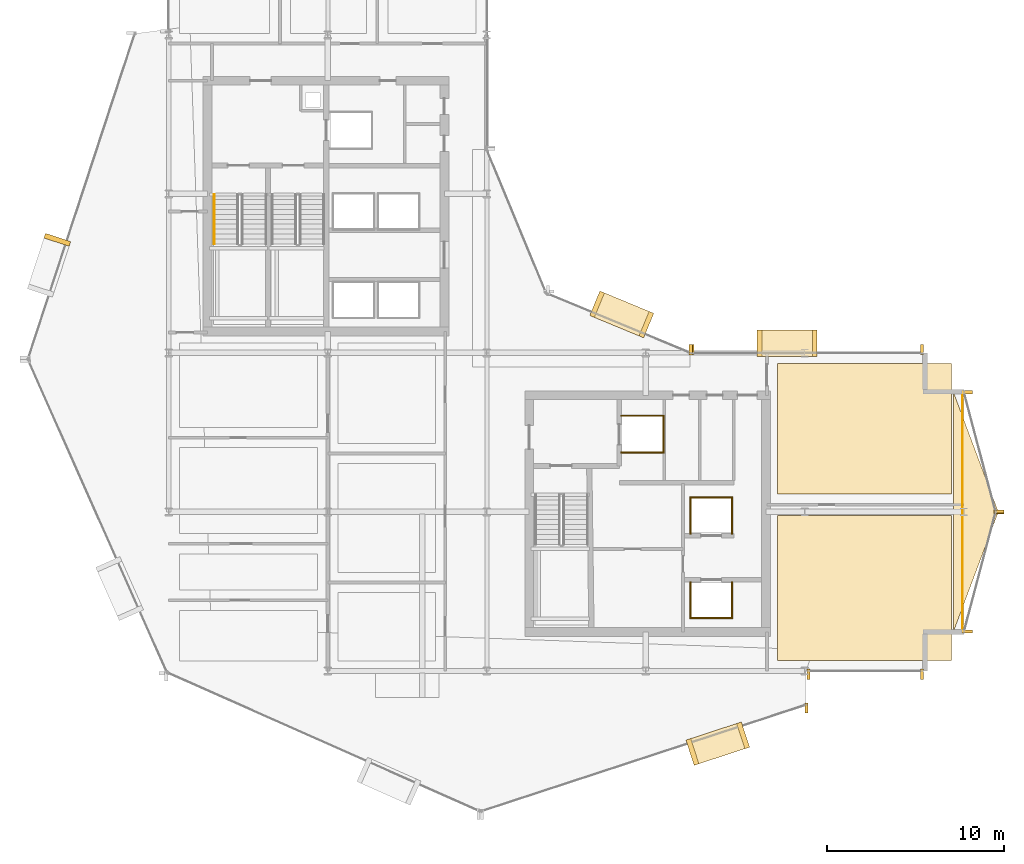
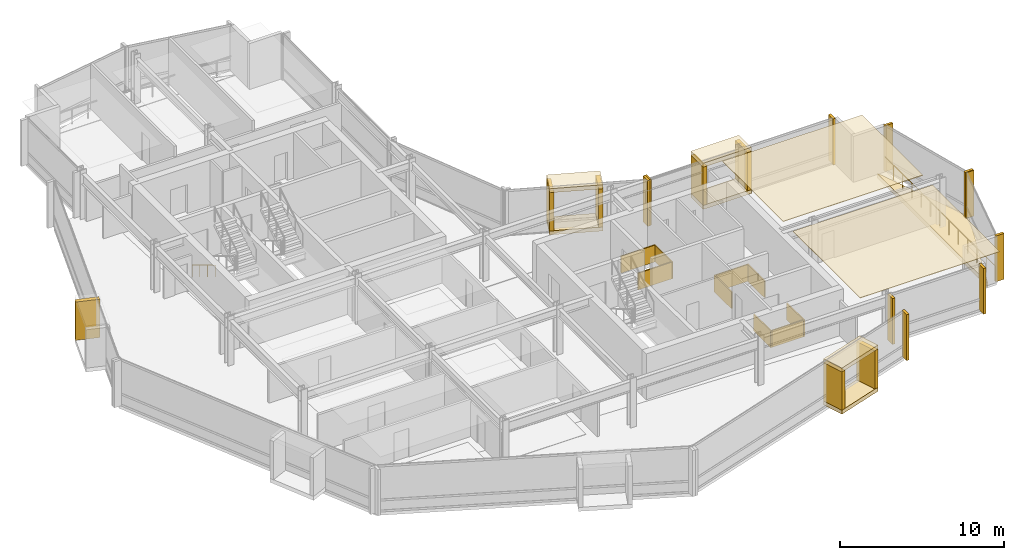
# One storey, part 28 of 29: 35 coverings, 2 railings.
"""IFC4 building model written with IfcOpenShell, lengths in metres."""

from ifc_helpers import new_model, si_unit, direction, frame, origin, origin_2d, place, context, subcontext, project, spatial, polyline, rectangle, circle, outline, extrude, material, layer, layer_set, type_object, element, save


model = new_model("IFC4")

# Units and contexts
model_context = context("Model", 3, precision=1e-05, world=origin(), true_north=direction((0.0, 1.0)))
body_context = subcontext(model_context, "Body", "Model", "MODEL_VIEW")
ifc_project = project(units=[si_unit("LENGTHUNIT", "METRE"), si_unit("AREAUNIT", "SQUARE_METRE"), si_unit("VOLUMEUNIT", "CUBIC_METRE"), si_unit("PLANEANGLEUNIT", "RADIAN"), si_unit("MASSUNIT", "GRAM", prefix="KILO")], contexts=[model_context])

# Site, building, storey
site_placement = place(None, origin())
site = spatial("IfcSite", under=ifc_project, at=site_placement, CompositionType="ELEMENT")
building_placement = place(site_placement, origin())
building = spatial("IfcBuilding", under=site, at=building_placement, Name="Solvaryn Broadcast Tower", CompositionType="ELEMENT")
storey_placement = place(building_placement, frame((0.0, 0.0, 128.5)))
storey = spatial("IfcBuildingStorey", under=building, at=storey_placement, Name="L31", CompositionType="ELEMENT", Elevation=128.5)

# Coverings
ifc_material_1 = material(Name="Micro-Perforated Acoustic Gypsum Ceiling", Category="concrete")
ifc_layer_1 = layer(ifc_material_1, 0.0400390625)
ifc_layer_set_1 = layer_set([ifc_layer_1], Name="CV-CEIL-ACOUSTIC")
covering_type_1 = type_object("IfcCoveringType", Name="CV-CEIL-ACOUSTIC", PredefinedType="CEILING", material=ifc_layer_set_1)
covering_1_placement = place(storey_placement, frame((0.0, 0.0, 3.3798828125)))
element("IfcCovering", 1, at=covering_1_placement, inside=storey, type_object=covering_type_1, Name="L31 Room Acoustic Ceiling 11", PredefinedType="CEILING", context=body_context, shape_type="SweptSolid", body=[
    extrude(outline(polyline([(43.449951171875, 9.60009765625), (53.300048828125, 9.60009765625), (53.300048828125, 17.800048828125), (43.449951171875, 17.800048828125), (43.449951171875, 9.60009765625)])), origin(), (0.0, 0.0, 1.0), 0.0400390625),
])
covering_2_placement = place(storey_placement, frame((0.0, 0.0, 3.3798828125)))
element("IfcCovering", 2, at=covering_2_placement, inside=storey, type_object=covering_type_1, Name="L31 Room Acoustic Ceiling 12", PredefinedType="CEILING", context=body_context, shape_type="SweptSolid", body=[
    extrude(outline(polyline([(43.449951171875, 19.0), (53.300048828125, 19.0), (53.300048828125, 26.39990234375), (43.449951171875, 26.39990234375), (43.449951171875, 19.0)])), origin(), (0.0, 0.0, 1.0), 0.0400390625),
])
ifc_material_2 = material(Name="Fire-Rated Gypsum Shaftwall Liner", Category="concrete")
ifc_layer_2 = layer(ifc_material_2, 0.080078125)
ifc_layer_set_2 = layer_set([ifc_layer_2], Name="CV-SHAFT-LINER")
covering_type_2 = type_object("IfcCoveringType", Name="CV-SHAFT-LINER", PredefinedType="CLADDING", material=ifc_layer_set_2)
for number, where, z_axis, x_axis, name in (
    (3, (35.800048828125, 23.43994140625, 0.0), (0.0, 0.0, 1.0), (1.0, 0.0, 0.0), "L31 FL2 Hoistway Shaft Liner North"),
    (4, (35.800048828125, 21.360107421875, 0.0), (0.0, 0.0, 1.0), (1.0, 0.0, 0.0), "L31 FL2 Hoistway Shaft Liner South"),
):
    element("IfcCovering", number, at=place(storey_placement, frame(where, z_axis=z_axis, x_axis=x_axis)), inside=storey, type_object=covering_type_2, Name=name, PredefinedType="CLADDING", context=body_context, shape_type="SweptSolid", body=[
        extrude(rectangle(XDim=2.4599609375, YDim=0.080078125, at=origin_2d()), origin(), (0.0, 0.0, 1.0), 1.25),
    ])
covering_3_placement = place(storey_placement, frame((36.989990234375, 22.39990234375, 0.0), z_axis=(0.0, 0.0, 1.0), x_axis=(1.0, 0.0, 0.0)))
element("IfcCovering", 5, at=covering_3_placement, inside=storey, type_object=covering_type_2, Name="L31 FL2 Hoistway Shaft Liner East", PredefinedType="CLADDING", context=body_context, shape_type="SweptSolid", body=[
    extrude(rectangle(XDim=0.080078125, YDim=2.159912109375, at=origin_2d()), origin(), (0.0, 0.0, 1.0), 1.25),
])
covering_4_placement = place(storey_placement, frame((39.699951171875, 11.985107421875, 0.0), z_axis=(0.0, 0.0, 1.0), x_axis=(1.0, 0.0, 0.0)))
element("IfcCovering", 6, at=covering_4_placement, inside=storey, type_object=covering_type_2, Name="L31 PM1 Hoistway Shaft Liner South", PredefinedType="CLADDING", context=body_context, shape_type="SweptSolid", body=[
    extrude(rectangle(XDim=2.409912109375, YDim=0.080078125, at=origin_2d()), origin(), (0.0, 0.0, 1.0), 1.25),
])
for number, where, z_axis, x_axis, name in (
    (7, (40.864990234375, 13.0, 0.0), (0.0, 0.0, 1.0), (1.0, 0.0, 0.0), "L31 PM1 Hoistway Shaft Liner East"),
    (8, (38.534912109375, 13.0, 0.0), (0.0, 0.0, 1.0), (1.0, 0.0, 0.0), "L31 PM1 Hoistway Shaft Liner West"),
):
    element("IfcCovering", number, at=place(storey_placement, frame(where, z_axis=z_axis, x_axis=x_axis)), inside=storey, type_object=covering_type_2, Name=name, PredefinedType="CLADDING", context=body_context, shape_type="SweptSolid", body=[
        extrude(rectangle(XDim=0.080078125, YDim=2.110107421875, at=origin_2d()), origin(), (0.0, 0.0, 1.0), 1.25),
    ])
covering_5_placement = place(storey_placement, frame((39.699951171875, 18.81494140625, 0.0), z_axis=(0.0, 0.0, 1.0), x_axis=(1.0, 0.0, 0.0)))
element("IfcCovering", 9, at=covering_5_placement, inside=storey, type_object=covering_type_2, Name="L31 PM2 Hoistway Shaft Liner North", PredefinedType="CLADDING", context=body_context, shape_type="SweptSolid", body=[
    extrude(rectangle(XDim=2.409912109375, YDim=0.080078125, at=origin_2d()), origin(), (0.0, 0.0, 1.0), 1.25),
])
for number, where, z_axis, x_axis, name in (
    (10, (40.864990234375, 17.800048828125, 0.0), (0.0, 0.0, 1.0), (1.0, 0.0, 0.0), "L31 PM2 Hoistway Shaft Liner East"),
    (11, (38.534912109375, 17.800048828125, 0.0), (0.0, 0.0, 1.0), (1.0, 0.0, 0.0), "L31 PM2 Hoistway Shaft Liner West"),
):
    element("IfcCovering", number, at=place(storey_placement, frame(where, z_axis=z_axis, x_axis=x_axis)), inside=storey, type_object=covering_type_2, Name=name, PredefinedType="CLADDING", context=body_context, shape_type="SweptSolid", body=[
        extrude(rectangle(XDim=0.080078125, YDim=2.110107421875, at=origin_2d()), origin(), (0.0, 0.0, 1.0), 1.25),
    ])
ifc_material_3 = material(Name="Glazed Architectural Terracotta Rainscreen Cladding", Category="masonry")
ifc_layer_3 = layer(ifc_material_3, 0.280029296875)
ifc_layer_set_3 = layer_set([ifc_layer_3], Name="CV-TC-CLAD")
covering_type_3 = type_object("IfcCoveringType", Name="CV-TC-CLAD", PredefinedType="CLADDING", material=ifc_layer_set_3)
covering_6_placement = place(storey_placement, frame((2.693603515625, 33.396728515625, 0.27978515625), z_axis=(0.0, 0.0, 1.0), x_axis=(-0.311671636848, -0.950189870912, 0.0)))
element("IfcCovering", 12, at=covering_6_placement, inside=storey, type_object=covering_type_3, Name="L31 Projecting Stone Window Box Cheek 1-1", PredefinedType="CLADDING", context=body_context, shape_type="SweptSolid", body=[
    extrude(rectangle(XDim=0.280029296875, YDim=1.5, at=origin_2d()), origin(), (0.0, 0.0, 1.0), 2.860107421875),
])
for number, where, z_axis, x_axis, name in (
    (13, (40.071044921875, 4.883056640625, 3.1298828125), (0.0, 0.0, 1.0), (0.950189870912, 0.311671636848, 0.0), "L31 Projecting Stone Window Box Hood 4"),
    (14, (40.071044921875, 4.883056640625, -0.01025390625), (0.0, 0.0, 1.0), (0.950189870912, 0.311671636848, 0.0), "L31 Projecting Stone Window Box Sill 4"),
):
    element("IfcCovering", number, at=place(storey_placement, frame(where, z_axis=z_axis, x_axis=x_axis)), inside=storey, type_object=covering_type_3, Name=name, PredefinedType="CLADDING", context=body_context, shape_type="SweptSolid", body=[
        extrude(rectangle(XDim=3.300048828125, YDim=1.5, at=origin_2d()), origin(), (0.0, 0.0, 1.0), 0.300048828125),
    ])
for number, where, z_axis, x_axis, name in (
    (15, (38.63623046875, 4.412353515625, 0.27978515625), (0.0, 0.0, 1.0), (0.950189870912, 0.311671636848, 0.0), "L31 Projecting Stone Window Box Cheek 4-1"),
    (16, (41.505859375, 5.353515625, 0.27978515625), (0.0, 0.0, 1.0), (0.950189870912, 0.311671636848, 0.0), "L31 Projecting Stone Window Box Cheek 4-2"),
):
    element("IfcCovering", number, at=place(storey_placement, frame(where, z_axis=z_axis, x_axis=x_axis)), inside=storey, type_object=covering_type_3, Name=name, PredefinedType="CLADDING", context=body_context, shape_type="SweptSolid", body=[
        extrude(rectangle(XDim=0.280029296875, YDim=1.5, at=origin_2d()), origin(), (0.0, 0.0, 1.0), 2.860107421875),
    ])
for number, where, z_axis, x_axis, name in (
    (17, (34.636962890625, 29.174072265625, 3.1298828125), (0.0, 0.0, 1.0), (-0.923879532511, 0.382683432365, 0.0), "L31 Projecting Stone Window Box Hood 5"),
    (18, (34.636962890625, 29.174072265625, -0.01025390625), (0.0, 0.0, 1.0), (-0.923879532511, 0.382683432365, 0.0), "L31 Projecting Stone Window Box Sill 5"),
):
    element("IfcCovering", number, at=place(storey_placement, frame(where, z_axis=z_axis, x_axis=x_axis)), inside=storey, type_object=covering_type_3, Name=name, PredefinedType="CLADDING", context=body_context, shape_type="SweptSolid", body=[
        extrude(rectangle(XDim=3.300048828125, YDim=1.5, at=origin_2d()), origin(), (0.0, 0.0, 1.0), 0.300048828125),
    ])
for number, where, z_axis, x_axis, name in (
    (19, (36.031982421875, 28.59619140625, 0.27978515625), (0.0, 0.0, 1.0), (-0.923879532511, 0.382683432365, 0.0), "L31 Projecting Stone Window Box Cheek 5-1"),
    (20, (33.241943359375, 29.751953125, 0.27978515625), (0.0, 0.0, 1.0), (-0.923879532511, 0.382683432365, 0.0), "L31 Projecting Stone Window Box Cheek 5-2"),
):
    element("IfcCovering", number, at=place(storey_placement, frame(where, z_axis=z_axis, x_axis=x_axis)), inside=storey, type_object=covering_type_3, Name=name, PredefinedType="CLADDING", context=body_context, shape_type="SweptSolid", body=[
        extrude(rectangle(XDim=0.280029296875, YDim=1.5, at=origin_2d()), origin(), (0.0, 0.0, 1.0), 2.860107421875),
    ])
for number, where, z_axis, x_axis, name in (
    (21, (44.0, 27.530029296875, 3.1298828125), (0.0, 0.0, 1.0), (1.0, 0.0, 0.0), "L31 Projecting Stone Window Box Hood 6"),
    (22, (44.0, 27.530029296875, -0.01025390625), (0.0, 0.0, 1.0), (1.0, 0.0, 0.0), "L31 Projecting Stone Window Box Sill 6"),
):
    element("IfcCovering", number, at=place(storey_placement, frame(where, z_axis=z_axis, x_axis=x_axis)), inside=storey, type_object=covering_type_3, Name=name, PredefinedType="CLADDING", context=body_context, shape_type="SweptSolid", body=[
        extrude(rectangle(XDim=3.39990234375, YDim=1.5, at=origin_2d()), origin(), (0.0, 0.0, 1.0), 0.300048828125),
    ])
for number, where, z_axis, x_axis, name in (
    (23, (42.43994140625, 27.530029296875, 0.27978515625), (0.0, 0.0, 1.0), (1.0, 0.0, 0.0), "L31 Projecting Stone Window Box Cheek 6-1"),
    (24, (45.56005859375, 27.530029296875, 0.27978515625), (0.0, 0.0, 1.0), (1.0, 0.0, 0.0), "L31 Projecting Stone Window Box Cheek 6-2"),
):
    element("IfcCovering", number, at=place(storey_placement, frame(where, z_axis=z_axis, x_axis=x_axis)), inside=storey, type_object=covering_type_3, Name=name, PredefinedType="CLADDING", context=body_context, shape_type="SweptSolid", body=[
        extrude(rectangle(XDim=0.280029296875, YDim=1.5, at=origin_2d()), origin(), (0.0, 0.0, 1.0), 2.860107421875),
    ])
ifc_material_4 = material(Name="Extruded Architectural Terracotta Fin", Category="masonry")
ifc_layer_4 = layer(ifc_material_4, 0.179931640625)
ifc_layer_set_4 = layer_set([ifc_layer_4], Name="CV-TC-FIN")
covering_type_4 = type_object("IfcCoveringType", Name="CV-TC-FIN", PredefinedType="USERDEFINED", material=ifc_layer_set_4)
for number, where, z_axis, x_axis, name in (
    (25, (45.0947265625, 6.898681640625, 0.0), (0.0, 0.0, 1.0), (1.0, 0.0, 0.0), "L31 Terracotta Vertical Fin FIN-L31-DR4-M01"),
    (26, (38.541259765625, 27.177978515625, 0.0), (0.0, 0.0, 1.0), (1.0, 0.0, 0.0), "L31 Terracotta Vertical Fin FIN-L31-CN1-M00"),
    (27, (45.197021484375, 8.8125, 0.0), (0.0, 0.0, 1.0), (1.0, 0.0, 0.0), "L31 Terracotta Vertical Fin FIN-L31-S2-M00"),
    (28, (51.6201171875, 8.8125, 0.0), (0.0, 0.0, 1.0), (1.0, 0.0, 0.0), "L31 Terracotta Vertical Fin FIN-L31-S2-M01"),
):
    element("IfcCovering", number, at=place(storey_placement, frame(where, z_axis=z_axis, x_axis=x_axis)), inside=storey, type_object=covering_type_4, Name=name, ObjectType="FIN", PredefinedType="USERDEFINED", context=body_context, shape_type="SweptSolid", body=[
        extrude(rectangle(XDim=0.179931640625, YDim=0.580078125, at=origin_2d()), origin(), (0.0, 0.0, 1.0), 3.419921875),
    ])
for number, where, z_axis, x_axis, name in (
    (29, (54.1953125, 24.77099609375, 0.0), (0.0, 0.0, 1.0), (1.0, 0.0, 0.0), "L31 Terracotta Vertical Fin FIN-L31-ET1-M00"),
    (30, (55.979736328125, 18.029052734375, 0.0), (0.0, 0.0, 1.0), (1.0, 0.0, 0.0), "L31 Terracotta Vertical Fin FIN-L31-ET1-M01"),
    (31, (55.979736328125, 17.970947265625, 0.0), (0.0, 0.0, 1.0), (1.0, 0.0, 0.0), "L31 Terracotta Vertical Fin FIN-L31-ET2-M00"),
    (32, (54.1953125, 11.22900390625, 0.0), (0.0, 0.0, 1.0), (1.0, 0.0, 0.0), "L31 Terracotta Vertical Fin FIN-L31-ET2-M01"),
):
    element("IfcCovering", number, at=place(storey_placement, frame(where, z_axis=z_axis, x_axis=x_axis)), inside=storey, type_object=covering_type_4, Name=name, ObjectType="FIN", PredefinedType="USERDEFINED", context=body_context, shape_type="SweptSolid", body=[
        extrude(rectangle(XDim=0.580078125, YDim=0.179931640625, at=origin_2d()), origin(), (0.0, 0.0, 1.0), 3.419921875),
    ])
for number, where, z_axis, x_axis, name in (
    (33, (38.6298828125, 27.1875, 0.0), (0.0, 0.0, 1.0), (1.0, 0.0, 0.0), "L31 Terracotta Vertical Fin FIN-L31-IH-M00"),
    (34, (51.6201171875, 27.1875, 0.0), (0.0, 0.0, 1.0), (1.0, 0.0, 0.0), "L31 Terracotta Vertical Fin FIN-L31-IH-M01"),
):
    element("IfcCovering", number, at=place(storey_placement, frame(where, z_axis=z_axis, x_axis=x_axis)), inside=storey, type_object=covering_type_4, Name=name, ObjectType="FIN", PredefinedType="USERDEFINED", context=body_context, shape_type="SweptSolid", body=[
        extrude(rectangle(XDim=0.179931640625, YDim=0.580078125, at=origin_2d()), origin(), (0.0, 0.0, 1.0), 3.419921875),
    ])
ifc_material_5 = material(Name="Sculpted Architectural Terracotta Wave Fascia", Category="masonry")
ifc_layer_5 = layer(ifc_material_5, 0.340087890625)
ifc_layer_set_5 = layer_set([ifc_layer_5], Name="CV-WAVE-TRAY")
covering_type_5 = type_object("IfcCoveringType", Name="CV-WAVE-TRAY", PredefinedType="CLADDING", material=ifc_layer_set_5)
covering_7_placement = place(storey_placement, frame((0.0, 0.0, -0.300048828125)))
element("IfcCovering", 35, at=covering_7_placement, inside=storey, type_object=covering_type_5, Name="L31 East Curved Wing Deck", PredefinedType="CLADDING", context=body_context, shape_type="SweptSolid", body=[
    extrude(outline(polyline([(53.39990234375, 11.199951171875), (55.949951171875, 18.0), (53.39990234375, 24.800048828125), (53.39990234375, 11.199951171875)])), origin(), (0.0, 0.0, 1.0), 0.330078125),
])

# Railings
ifc_material_6 = material(Name="Brushed Stainless Steel Tubular Handrail", Category="steel")
railing_type_1 = type_object("IfcRailingType", Name="RL-STAIR-HANDRAIL", PredefinedType="HANDRAIL", material=ifc_material_6)
railing_1_placement = place(storey_placement, frame((11.570068359375, 35.9599609375, 0.168212890625)))
element("IfcRailing", 36, at=railing_1_placement, inside=storey, type_object=railing_type_1, Name="L31 ST1 stair handrail 1", PredefinedType="HANDRAIL", context=body_context, shape_type="SweptSolid", body=[
    extrude(circle(Radius=0.02392578125, at=origin_2d()), frame((0.0, 0.0, 0.8759765625), z_axis=(0.0, -0.857242210791, 0.514913383045), x_axis=(1.0, 0.0, 0.0)), (0.0, 0.0, 1.0), 3.266357421875),
    extrude(circle(Radius=0.02099609375, at=origin_2d()), origin(), (0.0, 0.0, 1.0), 0.851806640625),
    extrude(circle(Radius=0.02099609375, at=origin_2d()), frame((0.0, -0.933349609375, 0.560546875)), (0.0, 0.0, 1.0), 0.851806640625),
    extrude(circle(Radius=0.02099609375, at=origin_2d()), frame((0.0, -1.86669921875, 1.121337890625)), (0.0, 0.0, 1.0), 0.851806640625),
    extrude(circle(Radius=0.02099609375, at=origin_2d()), frame((0.0, -2.800048828125, 1.681884765625)), (0.0, 0.0, 1.0), 0.851806640625),
])
ifc_material_7 = material(Name="Stainless Steel and Laminated Glass Guard", Category="steel")
railing_type_2 = type_object("IfcRailingType", Name="RL-TER-1150", PredefinedType="BALUSTRADE", material=ifc_material_7)
railing_2_placement = place(storey_placement, frame((53.919921875, 11.199951171875, 0.0)))
element("IfcRailing", 37, at=railing_2_placement, inside=storey, type_object=railing_type_2, Name="L31 East Wing Spandrel Edge Guard", PredefinedType="BALUSTRADE", context=body_context, shape_type="SweptSolid", body=[
    extrude(circle(Radius=0.02392578125, at=origin_2d()), frame((0.0, 0.0, 1.1259765625), z_axis=(0.0, 1.0, 0.0), x_axis=(-1.0, 0.0, 0.0)), (0.0, 0.0, 1.0), 13.60009765625),
    extrude(circle(Radius=0.02099609375, at=origin_2d()), origin(), (0.0, 0.0, 1.0), 1.101806640625),
    extrude(circle(Radius=0.02099609375, at=origin_2d()), frame((0.0, 1.13330078125, 0.0)), (0.0, 0.0, 1.0), 1.101806640625),
    extrude(circle(Radius=0.02099609375, at=origin_2d()), frame((0.0, 2.2666015625, 0.0)), (0.0, 0.0, 1.0), 1.101806640625),
    extrude(circle(Radius=0.02099609375, at=origin_2d()), frame((0.0, 3.39990234375, 0.0)), (0.0, 0.0, 1.0), 1.101806640625),
    extrude(circle(Radius=0.02099609375, at=origin_2d()), frame((0.0, 4.533447265625, 0.0)), (0.0, 0.0, 1.0), 1.101806640625),
    extrude(circle(Radius=0.02099609375, at=origin_2d()), frame((0.0, 5.666748046875, 0.0)), (0.0, 0.0, 1.0), 1.101806640625),
    extrude(circle(Radius=0.02099609375, at=origin_2d()), frame((0.0, 6.800048828125, 0.0)), (0.0, 0.0, 1.0), 1.101806640625),
    extrude(circle(Radius=0.02099609375, at=origin_2d()), frame((0.0, 7.933349609375, 0.0)), (0.0, 0.0, 1.0), 1.101806640625),
    extrude(circle(Radius=0.02099609375, at=origin_2d()), frame((0.0, 9.066650390625, 0.0)), (0.0, 0.0, 1.0), 1.101806640625),
    extrude(circle(Radius=0.02099609375, at=origin_2d()), frame((0.0, 10.2001953125, 0.0)), (0.0, 0.0, 1.0), 1.101806640625),
    extrude(circle(Radius=0.02099609375, at=origin_2d()), frame((0.0, 11.33349609375, 0.0)), (0.0, 0.0, 1.0), 1.101806640625),
    extrude(circle(Radius=0.02099609375, at=origin_2d()), frame((0.0, 12.466796875, 0.0)), (0.0, 0.0, 1.0), 1.101806640625),
    extrude(circle(Radius=0.02099609375, at=origin_2d()), frame((0.0, 13.60009765625, 0.0)), (0.0, 0.0, 1.0), 1.101806640625),
])

save(model, "model.ifc")
